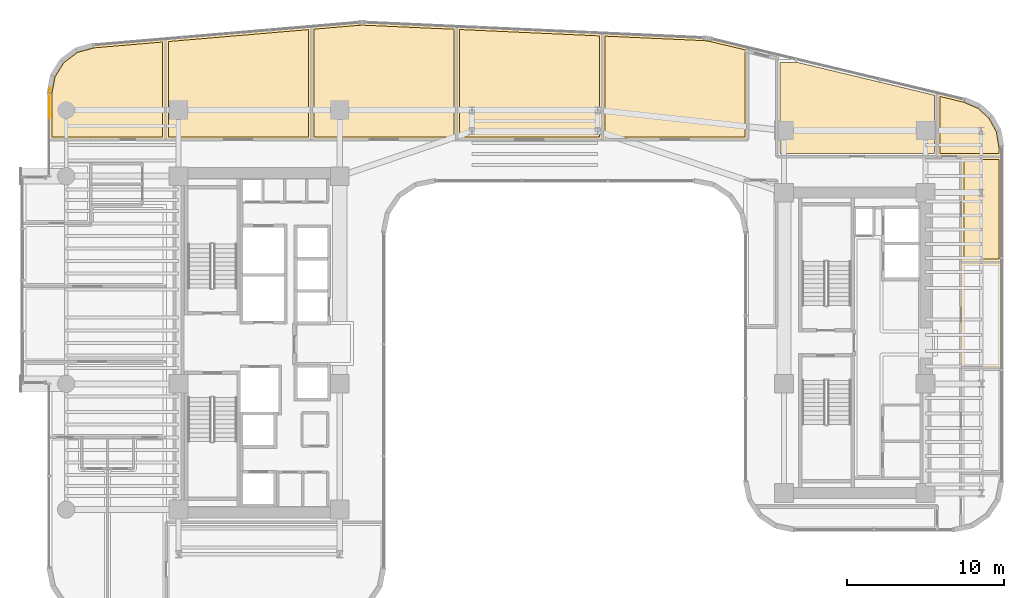
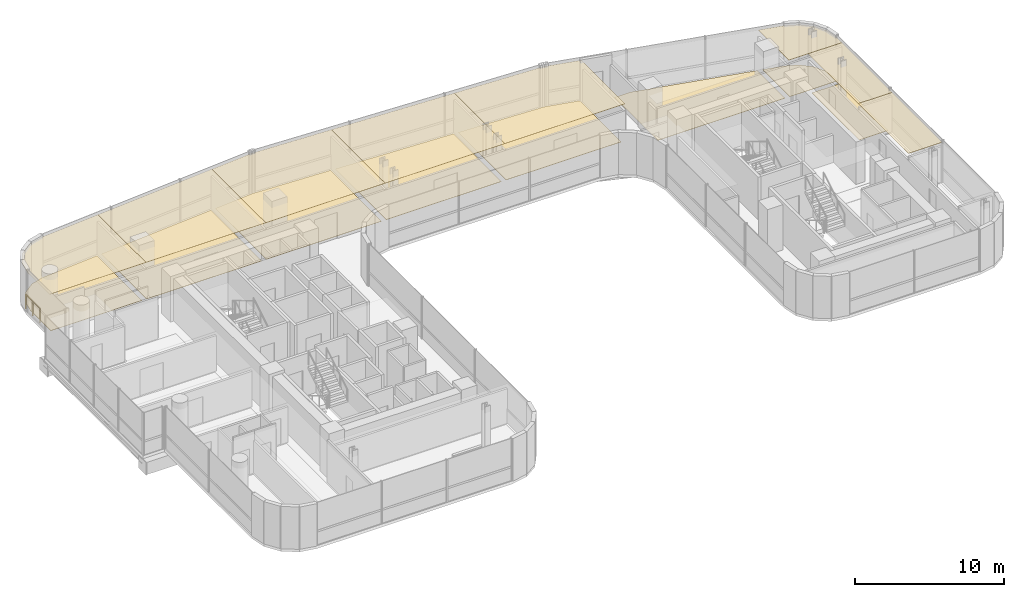
# One storey, part 34 of 35: 16 coverings, 1 railing.
"""IFC4 building model written with IfcOpenShell, lengths in metres."""

from ifc_helpers import new_model, si_unit, direction, frame, origin, origin_2d, place, context, subcontext, project, spatial, polyline, circle, outline, extrude, material, layer, layer_set, type_object, element, save


model = new_model("IFC4")

# Units and contexts
model_context = context("Model", 3, precision=1e-05, world=origin(), true_north=direction((0.0, 1.0)))
body_context = subcontext(model_context, "Body", "Model", "MODEL_VIEW")
ifc_project = project(units=[si_unit("LENGTHUNIT", "METRE"), si_unit("AREAUNIT", "SQUARE_METRE"), si_unit("VOLUMEUNIT", "CUBIC_METRE"), si_unit("PLANEANGLEUNIT", "RADIAN"), si_unit("MASSUNIT", "GRAM", prefix="KILO")], contexts=[model_context])

# Site, building, storey
site_placement = place(None, origin())
site = spatial("IfcSite", under=ifc_project, at=site_placement, CompositionType="ELEMENT")
building_placement = place(site_placement, origin())
building = spatial("IfcBuilding", under=site, at=building_placement, Name="Valdorenza Pilgrim Sanctuary Tower", CompositionType="ELEMENT")
storey_placement = place(building_placement, frame((0.0, 0.0, 139.0)))
storey = spatial("IfcBuildingStorey", under=building, at=storey_placement, Name="L35", CompositionType="ELEMENT", Elevation=139.0)

# Coverings
ifc_material_1 = material(Name="Micro-perforated acoustic mineral ceiling tile", Category="gypsum")
ifc_layer_1 = layer(ifc_material_1, 0.02490234375, Name="Micro-perforated acoustic mineral ceiling tile")
ifc_layer_set_1 = layer_set([ifc_layer_1], Name="Micro-perforated acoustic mineral ceiling tile")
covering_type_1 = type_object("IfcCoveringType", Name="COV-CLG-ACU", PredefinedType="CEILING", material=ifc_layer_set_1)
covering_1_placement = place(storey_placement, frame((0.0, 0.0, 3.159912109375)))
element("IfcCovering", 1, at=covering_1_placement, inside=storey, type_object=covering_type_1, Name="L35 Theological Seminar Classroom L35-N1 Acoustic Ceiling", PredefinedType="CEILING", context=body_context, shape_type="SweptSolid", body=[
    extrude(outline(polyline([(-30.889892578125, 12.905029296875), (-30.8916015625, 12.905029296875), (-30.892822265625, 12.9052734375), (-30.894287109375, 12.905517578125), (-30.895751953125, 12.906005859375), (-30.897216796875, 12.90673828125), (-30.898193359375, 12.907470703125), (-30.8994140625, 12.908447265625), (-30.900634765625, 12.909423828125), (-30.901611328125, 12.910400390625), (-30.902587890625, 12.91162109375), (-30.9033203125, 12.912841796875), (-30.90380859375, 12.914306640625), (-30.904296875, 12.91552734375), (-30.90478515625, 12.9169921875), (-30.90478515625, 12.91845703125), (-30.905029296875, 12.919921875), (-30.905029296875, 15.850341796875), (-30.90478515625, 15.8515625), (-30.90478515625, 15.85302734375), (-30.692138671875, 16.984130859375), (-30.69189453125, 16.985595703125), (-30.69140625, 16.98681640625), (-30.69091796875, 16.98828125), (-30.690185546875, 16.989501953125), (-30.0869140625, 17.95751953125), (-30.086181640625, 17.958740234375), (-30.085205078125, 17.959716796875), (-30.084228515625, 17.960693359375), (-30.083251953125, 17.961669921875), (-29.169677734375, 18.64453125), (-29.16845703125, 18.6455078125), (-29.167236328125, 18.64599609375), (-29.166015625, 18.646484375), (-29.164794921875, 18.647216796875), (-28.055419921875, 18.95458984375), (-28.05419921875, 18.955078125), (-28.052734375, 18.955078125), (-23.4833984375, 19.343505859375), (-23.481689453125, 19.343505859375), (-23.48046875, 19.343505859375), (-23.47900390625, 19.34326171875), (-23.4775390625, 19.343017578125), (-23.47607421875, 19.342529296875), (-23.474853515625, 19.341796875), (-23.4736328125, 19.341064453125), (-23.472412109375, 19.340087890625), (-23.47119140625, 19.339111328125), (-23.470458984375, 19.338134765625), (-23.469482421875, 19.3369140625), (-23.46875, 19.335693359375), (-23.468017578125, 19.334228515625), (-23.467529296875, 19.3330078125), (-23.46728515625, 19.33154296875), (-23.467041015625, 19.330078125), (-23.467041015625, 19.32861328125), (-23.467041015625, 12.919921875), (-23.467041015625, 12.91845703125), (-23.46728515625, 12.9169921875), (-23.467529296875, 12.91552734375), (-23.468017578125, 12.914306640625), (-23.46875, 12.912841796875), (-23.469482421875, 12.91162109375), (-23.470458984375, 12.910400390625), (-23.471435546875, 12.909423828125), (-23.472412109375, 12.908447265625), (-23.4736328125, 12.907470703125), (-23.474853515625, 12.90673828125), (-23.476318359375, 12.906005859375), (-23.4775390625, 12.905517578125), (-23.47900390625, 12.9052734375), (-23.48046875, 12.905029296875), (-23.48193359375, 12.905029296875), (-30.889892578125, 12.905029296875)])), origin(), (0.0, 0.0, 1.0), 0.025146484375),
])
covering_2_placement = place(storey_placement, frame((0.0, 0.0, 3.159912109375)))
element("IfcCovering", 2, at=covering_2_placement, inside=storey, type_object=covering_type_1, Name="L35 Theological Seminar Classroom L35-N2 Acoustic Ceiling", PredefinedType="CEILING", context=body_context, shape_type="SweptSolid", body=[
    extrude(outline(polyline([(-23.4951171875, 19.32861328125), (-23.4951171875, 19.32958984375), (-23.494873046875, 19.3310546875), (-23.49462890625, 19.33251953125), (-23.494140625, 19.333740234375), (-23.49365234375, 19.335205078125), (-23.492919921875, 19.33642578125), (-23.4921875, 19.337646484375), (-23.4912109375, 19.338623046875), (-23.490234375, 19.339599609375), (-23.4892578125, 19.3408203125), (-23.488037109375, 19.341552734375), (-23.48681640625, 19.34228515625), (-23.485595703125, 19.3427734375), (-23.484130859375, 19.34326171875), (-23.482666015625, 19.343505859375), (-23.481201171875, 19.34375), (-14.225341796875, 20.130615234375), (-14.223876953125, 20.130615234375), (-14.222412109375, 20.130615234375), (-14.220947265625, 20.130126953125), (-14.219482421875, 20.1298828125), (-14.218017578125, 20.12939453125), (-14.216796875, 20.128662109375), (-14.215576171875, 20.1279296875), (-14.21435546875, 20.127197265625), (-14.21337890625, 20.126220703125), (-14.21240234375, 20.125), (-14.21142578125, 20.123779296875), (-14.210693359375, 20.12255859375), (-14.210205078125, 20.12109375), (-14.209716796875, 20.119873046875), (-14.209228515625, 20.118408203125), (-14.208984375, 20.116943359375), (-14.208984375, 20.115478515625), (-14.208984375, 12.919921875), (-14.208984375, 12.91845703125), (-14.209228515625, 12.9169921875), (-14.209716796875, 12.91552734375), (-14.210205078125, 12.914306640625), (-14.210693359375, 12.912841796875), (-14.21142578125, 12.91162109375), (-14.21240234375, 12.910400390625), (-14.21337890625, 12.909423828125), (-14.214599609375, 12.908447265625), (-14.2158203125, 12.907470703125), (-14.216796875, 12.90673828125), (-14.21826171875, 12.906005859375), (-14.219482421875, 12.905517578125), (-14.22119140625, 12.9052734375), (-14.222412109375, 12.905029296875), (-14.22412109375, 12.905029296875), (-23.47998046875, 12.905029296875), (-23.4814453125, 12.905029296875), (-23.48291015625, 12.9052734375), (-23.484375, 12.905517578125), (-23.485595703125, 12.906005859375), (-23.487060546875, 12.90673828125), (-23.48828125, 12.907470703125), (-23.489501953125, 12.908447265625), (-23.490478515625, 12.909423828125), (-23.49169921875, 12.910400390625), (-23.492431640625, 12.91162109375), (-23.4931640625, 12.912841796875), (-23.493896484375, 12.914306640625), (-23.494384765625, 12.91552734375), (-23.49462890625, 12.9169921875), (-23.494873046875, 12.91845703125), (-23.4951171875, 12.919921875), (-23.4951171875, 19.32861328125), (-23.4951171875, 19.32861328125)])), origin(), (0.0, 0.0, 1.0), 0.025146484375),
])
covering_3_placement = place(storey_placement, frame((0.0, 0.0, 3.159912109375)))
element("IfcCovering", 3, at=covering_3_placement, inside=storey, type_object=covering_type_1, Name="L35 Theological Seminar Classroom L35-N3 Acoustic Ceiling", PredefinedType="CEILING", context=body_context, shape_type="SweptSolid", body=[
    extrude(outline(polyline([(-14.237060546875, 20.115478515625), (-14.237060546875, 20.116455078125), (-14.23681640625, 20.117919921875), (-14.236572265625, 20.119384765625), (-14.236083984375, 20.12060546875), (-14.235595703125, 20.1220703125), (-14.235107421875, 20.123291015625), (-14.234130859375, 20.12451171875), (-14.2333984375, 20.12548828125), (-14.232421875, 20.126708984375), (-14.231201171875, 20.127685546875), (-14.22998046875, 20.12841796875), (-14.228759765625, 20.129150390625), (-14.2275390625, 20.129638671875), (-14.22607421875, 20.130126953125), (-14.224609375, 20.130615234375), (-14.223388671875, 20.130615234375), (-11.20068359375, 20.3876953125), (-11.200439453125, 20.3876953125), (-11.099365234375, 20.39453125), (-11.098876953125, 20.39453125), (-10.998291015625, 20.398193359375), (-10.997802734375, 20.398193359375), (-10.897216796875, 20.398681640625), (-10.896728515625, 20.398681640625), (-10.79541015625, 20.3955078125), (-10.795166015625, 20.3955078125), (-4.96533203125, 20.130615234375), (-4.9638671875, 20.13037109375), (-4.96240234375, 20.130126953125), (-4.961181640625, 20.1298828125), (-4.959716796875, 20.129150390625), (-4.95849609375, 20.128662109375), (-4.957275390625, 20.127685546875), (-4.956298828125, 20.126953125), (-4.955078125, 20.1259765625), (-4.9541015625, 20.125), (-4.953369140625, 20.123779296875), (-4.95263671875, 20.12255859375), (-4.9521484375, 20.12109375), (-4.95166015625, 20.119873046875), (-4.951416015625, 20.118408203125), (-4.951171875, 20.116943359375), (-4.950927734375, 20.115478515625), (-4.950927734375, 12.919921875), (-4.951171875, 12.91845703125), (-4.951416015625, 12.9169921875), (-4.95166015625, 12.91552734375), (-4.9521484375, 12.914306640625), (-4.952880859375, 12.912841796875), (-4.95361328125, 12.91162109375), (-4.954345703125, 12.910400390625), (-4.955322265625, 12.909423828125), (-4.95654296875, 12.908447265625), (-4.957763671875, 12.907470703125), (-4.958984375, 12.90673828125), (-4.960205078125, 12.906005859375), (-4.961669921875, 12.905517578125), (-4.963134765625, 12.9052734375), (-4.964599609375, 12.905029296875), (-4.966064453125, 12.905029296875), (-14.221923828125, 12.905029296875), (-14.223388671875, 12.905029296875), (-14.224853515625, 12.9052734375), (-14.226318359375, 12.905517578125), (-14.227783203125, 12.906005859375), (-14.22900390625, 12.90673828125), (-14.230224609375, 12.907470703125), (-14.2314453125, 12.908447265625), (-14.232666015625, 12.909423828125), (-14.233642578125, 12.910400390625), (-14.234619140625, 12.91162109375), (-14.235107421875, 12.912841796875), (-14.23583984375, 12.914306640625), (-14.236328125, 12.91552734375), (-14.23681640625, 12.9169921875), (-14.23681640625, 12.91845703125), (-14.237060546875, 12.919921875), (-14.237060546875, 20.115478515625), (-14.237060546875, 20.115478515625)])), origin(), (0.0, 0.0, 1.0), 0.025146484375),
])
covering_4_placement = place(storey_placement, frame((0.0, 0.0, 3.159912109375)))
element("IfcCovering", 4, at=covering_4_placement, inside=storey, type_object=covering_type_1, Name="L35 Theological Seminar Classroom L35-N4 Acoustic Ceiling", PredefinedType="CEILING", context=body_context, shape_type="SweptSolid", body=[
    extrude(outline(polyline([(-4.964111328125, 12.905029296875), (-4.965576171875, 12.905029296875), (-4.966796875, 12.9052734375), (-4.968505859375, 12.905517578125), (-4.9697265625, 12.906005859375), (-4.97119140625, 12.90673828125), (-4.972412109375, 12.907470703125), (-4.973388671875, 12.908447265625), (-4.974609375, 12.909423828125), (-4.9755859375, 12.910400390625), (-4.9765625, 12.91162109375), (-4.977294921875, 12.912841796875), (-4.977783203125, 12.914306640625), (-4.978515625, 12.91552734375), (-4.978759765625, 12.9169921875), (-4.97900390625, 12.91845703125), (-4.97900390625, 12.919921875), (-4.97900390625, 20.115478515625), (-4.97900390625, 20.116943359375), (-4.978759765625, 20.118408203125), (-4.978271484375, 20.1201171875), (-4.977783203125, 20.121337890625), (-4.97705078125, 20.122802734375), (-4.976318359375, 20.1240234375), (-4.975341796875, 20.125244140625), (-4.974365234375, 20.126220703125), (-4.97314453125, 20.127197265625), (-4.971923828125, 20.128173828125), (-4.970703125, 20.12890625), (-4.96923828125, 20.12939453125), (-4.9677734375, 20.1298828125), (-4.96630859375, 20.13037109375), (-4.96484375, 20.130615234375), (-4.96337890625, 20.130615234375), (4.292724609375, 19.709716796875), (4.294189453125, 19.709716796875), (4.29541015625, 19.70947265625), (4.296875, 19.708984375), (4.298095703125, 19.70849609375), (4.299560546875, 19.707763671875), (4.30078125, 19.70703125), (4.3017578125, 19.7060546875), (4.302734375, 19.705078125), (4.3037109375, 19.7041015625), (4.3046875, 19.702880859375), (4.305419921875, 19.70166015625), (4.305908203125, 19.700439453125), (4.306396484375, 19.698974609375), (4.306640625, 19.697509765625), (4.306884765625, 19.6962890625), (4.306884765625, 19.69482421875), (4.306884765625, 12.919921875), (4.306884765625, 12.91845703125), (4.306640625, 12.9169921875), (4.306396484375, 12.91552734375), (4.305908203125, 12.914306640625), (4.30517578125, 12.912841796875), (4.304443359375, 12.91162109375), (4.3037109375, 12.910400390625), (4.302490234375, 12.909423828125), (4.301513671875, 12.908447265625), (4.30029296875, 12.907470703125), (4.299072265625, 12.90673828125), (4.297607421875, 12.906005859375), (4.29638671875, 12.905517578125), (4.294921875, 12.9052734375), (4.29345703125, 12.905029296875), (4.2919921875, 12.905029296875), (-4.964111328125, 12.905029296875)])), origin(), (0.0, 0.0, 1.0), 0.025146484375),
])
covering_5_placement = place(storey_placement, frame((0.0, 0.0, 3.159912109375)))
element("IfcCovering", 5, at=covering_5_placement, inside=storey, type_object=covering_type_1, Name="L35 Theological Seminar Classroom L35-N5 Acoustic Ceiling", PredefinedType="CEILING", context=body_context, shape_type="SweptSolid", body=[
    extrude(outline(polyline([(4.2939453125, 12.905029296875), (4.29248046875, 12.905029296875), (4.291015625, 12.9052734375), (4.28955078125, 12.905517578125), (4.288330078125, 12.906005859375), (4.286865234375, 12.90673828125), (4.28564453125, 12.907470703125), (4.284423828125, 12.908447265625), (4.283447265625, 12.909423828125), (4.282470703125, 12.910400390625), (4.281494140625, 12.91162109375), (4.28076171875, 12.912841796875), (4.280029296875, 12.914306640625), (4.279541015625, 12.91552734375), (4.279296875, 12.9169921875), (4.279052734375, 12.91845703125), (4.279052734375, 12.919921875), (4.279052734375, 19.694580078125), (4.279052734375, 19.6962890625), (4.279296875, 19.69775390625), (4.27978515625, 19.69921875), (4.2802734375, 19.70068359375), (4.281005859375, 19.701904296875), (4.28173828125, 19.703125), (4.28271484375, 19.704345703125), (4.28369140625, 19.70556640625), (4.284912109375, 19.70654296875), (4.285888671875, 19.70751953125), (4.287353515625, 19.7080078125), (4.288818359375, 19.708740234375), (4.290283203125, 19.709228515625), (4.291748046875, 19.70947265625), (4.293212890625, 19.709716796875), (4.294677734375, 19.709716796875), (10.690673828125, 19.4189453125), (10.69091796875, 19.4189453125), (10.838134765625, 19.40869140625), (10.8388671875, 19.40869140625), (10.984375, 19.3916015625), (10.985107421875, 19.3916015625), (11.12939453125, 19.36767578125), (11.130126953125, 19.36767578125), (11.274658203125, 19.336669921875), (11.27490234375, 19.33642578125), (13.553466796875, 18.791015625), (13.554931640625, 18.790771484375), (13.55615234375, 18.790283203125), (13.5576171875, 18.78955078125), (13.55859375, 18.788818359375), (13.559814453125, 18.787841796875), (13.560791015625, 18.786865234375), (13.561767578125, 18.785888671875), (13.5625, 18.78466796875), (13.563232421875, 18.783447265625), (13.56396484375, 18.781982421875), (13.564453125, 18.78076171875), (13.564697265625, 18.779296875), (13.56494140625, 18.778076171875), (13.56494140625, 18.776611328125), (13.56494140625, 12.919921875), (13.56494140625, 12.91845703125), (13.564697265625, 12.9169921875), (13.564453125, 12.91552734375), (13.56396484375, 12.914306640625), (13.563232421875, 12.912841796875), (13.5625, 12.91162109375), (13.5615234375, 12.910400390625), (13.560546875, 12.909423828125), (13.5595703125, 12.908447265625), (13.558349609375, 12.907470703125), (13.55712890625, 12.90673828125), (13.5556640625, 12.906005859375), (13.554443359375, 12.905517578125), (13.552978515625, 12.9052734375), (13.551513671875, 12.905029296875), (13.550048828125, 12.905029296875), (4.2939453125, 12.905029296875)])), origin(), (0.0, 0.0, 1.0), 0.025146484375),
])
covering_6_placement = place(storey_placement, frame((0.0, 0.0, 3.159912109375)))
element("IfcCovering", 6, at=covering_6_placement, inside=storey, type_object=covering_type_1, Name="L35 East Wing Reference Library L35-BNE Acoustic Ceiling", PredefinedType="CEILING", context=body_context, shape_type="SweptSolid", body=[
    extrude(outline(polyline([(27.313720703125, 15.49755859375), (27.31494140625, 15.4970703125), (27.316162109375, 15.49658203125), (28.269775390625, 15.09130859375), (28.271240234375, 15.090576171875), (28.272705078125, 15.089599609375), (28.27392578125, 15.088623046875), (29.034912109375, 14.3994140625), (29.035888671875, 14.398193359375), (29.037109375, 14.39697265625), (29.037841796875, 14.3955078125), (29.531005859375, 13.4951171875), (29.53173828125, 13.49365234375), (29.5322265625, 13.4921875), (29.53271484375, 13.490478515625), (29.704833984375, 12.468994140625), (29.704833984375, 12.467529296875), (29.705078125, 12.46630859375), (29.705078125, 11.85009765625), (29.704833984375, 11.848388671875), (29.70458984375, 11.84716796875), (29.704345703125, 11.845703125), (29.703857421875, 11.84423828125), (29.703125, 11.843017578125), (29.702392578125, 11.841796875), (29.70166015625, 11.840576171875), (29.70068359375, 11.83935546875), (29.699462890625, 11.83837890625), (29.6982421875, 11.83740234375), (29.697021484375, 11.8369140625), (29.69580078125, 11.836181640625), (29.6943359375, 11.835693359375), (29.69287109375, 11.835205078125), (29.69140625, 11.835205078125), (29.68994140625, 11.8349609375), (25.60205078125, 11.8349609375), (25.6005859375, 11.835205078125), (25.59912109375, 11.835205078125), (25.59765625, 11.835693359375), (25.59619140625, 11.836181640625), (25.594970703125, 11.8369140625), (25.59375, 11.83740234375), (25.592529296875, 11.83837890625), (25.59130859375, 11.83935546875), (25.59033203125, 11.840576171875), (25.589599609375, 11.841796875), (25.5888671875, 11.843017578125), (25.588134765625, 11.84423828125), (25.587646484375, 11.845703125), (25.58740234375, 11.84716796875), (25.587158203125, 11.848388671875), (25.5869140625, 11.85009765625), (25.5869140625, 15.891845703125), (25.587158203125, 15.893310546875), (25.58740234375, 15.894775390625), (25.587646484375, 15.896240234375), (25.588134765625, 15.897705078125), (25.5888671875, 15.89892578125), (25.589599609375, 15.900390625), (25.590576171875, 15.901611328125), (25.591552734375, 15.902587890625), (25.5927734375, 15.903564453125), (25.593994140625, 15.904296875), (25.59521484375, 15.9052734375), (25.5966796875, 15.90576171875), (25.597900390625, 15.90625), (25.599609375, 15.906494140625), (25.60107421875, 15.90673828125), (25.6025390625, 15.90673828125), (25.60400390625, 15.906494140625), (25.60546875, 15.906494140625), (27.313720703125, 15.49755859375)])), origin(), (0.0, 0.0, 1.0), 0.025146484375),
])
covering_7_placement = place(storey_placement, frame((0.0, 0.0, 3.159912109375)))
element("IfcCovering", 7, at=covering_7_placement, inside=storey, type_object=covering_type_1, Name="L35 East Sanctuary Scholar Office L35-EG3 Acoustic Ceiling", PredefinedType="CEILING", context=body_context, shape_type="SweptSolid", body=[
    extrude(outline(polyline([(27.0849609375, 5.137939453125), (27.085205078125, 5.139404296875), (27.085205078125, 5.140869140625), (27.085693359375, 5.142333984375), (27.086181640625, 5.143798828125), (27.0869140625, 5.14501953125), (27.08740234375, 5.146240234375), (27.08837890625, 5.1474609375), (27.08935546875, 5.148681640625), (27.090576171875, 5.149658203125), (27.091796875, 5.150390625), (27.093017578125, 5.151123046875), (27.09423828125, 5.15185546875), (27.095703125, 5.15234375), (27.09716796875, 5.152587890625), (27.098388671875, 5.15283203125), (27.10009765625, 5.153076171875), (29.68994140625, 5.153076171875), (29.69140625, 5.15283203125), (29.69287109375, 5.152587890625), (29.6943359375, 5.15234375), (29.69580078125, 5.15185546875), (29.697021484375, 5.151123046875), (29.6982421875, 5.150390625), (29.699462890625, 5.149658203125), (29.70068359375, 5.148681640625), (29.70166015625, 5.1474609375), (29.702392578125, 5.146240234375), (29.703125, 5.14501953125), (29.703857421875, 5.143798828125), (29.704345703125, 5.142333984375), (29.70458984375, 5.140869140625), (29.704833984375, 5.139404296875), (29.705078125, 5.137939453125), (29.705078125, -1.572998046875), (29.704833984375, -1.574462890625), (29.70458984375, -1.575927734375), (29.704345703125, -1.577392578125), (29.703857421875, -1.57861328125), (29.703125, -1.580078125), (29.702392578125, -1.581298828125), (29.70166015625, -1.58251953125), (29.70068359375, -1.58349609375), (29.699462890625, -1.584716796875), (29.6982421875, -1.58544921875), (29.697021484375, -1.586181640625), (29.69580078125, -1.5869140625), (29.6943359375, -1.58740234375), (29.69287109375, -1.587646484375), (29.69140625, -1.587890625), (29.68994140625, -1.587890625), (27.10009765625, -1.587890625), (27.098388671875, -1.587890625), (27.09716796875, -1.587646484375), (27.095703125, -1.58740234375), (27.09423828125, -1.5869140625), (27.093017578125, -1.586181640625), (27.091796875, -1.58544921875), (27.090576171875, -1.584716796875), (27.08935546875, -1.58349609375), (27.08837890625, -1.58251953125), (27.08740234375, -1.581298828125), (27.0869140625, -1.580078125), (27.086181640625, -1.57861328125), (27.085693359375, -1.577392578125), (27.085205078125, -1.575927734375), (27.085205078125, -1.574462890625), (27.0849609375, -1.572998046875), (27.0849609375, 5.137939453125)])), origin(), (0.0, 0.0, 1.0), 0.025146484375),
])
covering_8_placement = place(storey_placement, frame((0.0, 0.0, 3.159912109375)))
element("IfcCovering", 8, at=covering_8_placement, inside=storey, type_object=covering_type_1, Name="L35 East Sanctuary Scholar Office L35-EG4 Acoustic Ceiling", PredefinedType="CEILING", context=body_context, shape_type="SweptSolid", body=[
    extrude(outline(polyline([(27.0849609375, 11.847900390625), (27.085205078125, 11.849609375), (27.085205078125, 11.850830078125), (27.085693359375, 11.852294921875), (27.086181640625, 11.853759765625), (27.0869140625, 11.85498046875), (27.08740234375, 11.856201171875), (27.08837890625, 11.857421875), (27.08935546875, 11.858642578125), (27.090576171875, 11.859619140625), (27.091796875, 11.860595703125), (27.093017578125, 11.861083984375), (27.09423828125, 11.86181640625), (27.095703125, 11.8623046875), (27.09716796875, 11.86279296875), (27.098388671875, 11.86279296875), (27.10009765625, 11.863037109375), (29.68994140625, 11.863037109375), (29.69140625, 11.86279296875), (29.69287109375, 11.86279296875), (29.6943359375, 11.8623046875), (29.69580078125, 11.86181640625), (29.697021484375, 11.861083984375), (29.6982421875, 11.860595703125), (29.699462890625, 11.859619140625), (29.70068359375, 11.858642578125), (29.70166015625, 11.857421875), (29.702392578125, 11.856201171875), (29.703125, 11.85498046875), (29.703857421875, 11.853759765625), (29.704345703125, 11.852294921875), (29.70458984375, 11.850830078125), (29.704833984375, 11.849609375), (29.705078125, 11.847900390625), (29.705078125, 5.139892578125), (29.704833984375, 5.138427734375), (29.70458984375, 5.13720703125), (29.704345703125, 5.135498046875), (29.703857421875, 5.13427734375), (29.703125, 5.1328125), (29.702392578125, 5.131591796875), (29.70166015625, 5.130615234375), (29.70068359375, 5.12939453125), (29.699462890625, 5.12841796875), (29.6982421875, 5.12744140625), (29.697021484375, 5.126708984375), (29.69580078125, 5.126220703125), (29.6943359375, 5.12548828125), (29.69287109375, 5.125244140625), (29.69140625, 5.125), (29.68994140625, 5.125), (27.10009765625, 5.125), (27.098388671875, 5.125), (27.09716796875, 5.125244140625), (27.095703125, 5.12548828125), (27.09423828125, 5.126220703125), (27.093017578125, 5.126708984375), (27.091796875, 5.12744140625), (27.090576171875, 5.12841796875), (27.08935546875, 5.12939453125), (27.08837890625, 5.130615234375), (27.08740234375, 5.131591796875), (27.0869140625, 5.1328125), (27.086181640625, 5.13427734375), (27.085693359375, 5.135498046875), (27.085205078125, 5.13720703125), (27.085205078125, 5.138427734375), (27.0849609375, 5.139892578125), (27.0849609375, 11.847900390625)])), origin(), (0.0, 0.0, 1.0), 0.025146484375),
])
ifc_material_2 = material(Name="Engineered European oak timber flooring", Category="wood")
ifc_layer_2 = layer(ifc_material_2, 0.02197265625, Name="Engineered European oak timber flooring")
ifc_layer_set_2 = layer_set([ifc_layer_2], Name="Engineered European oak timber flooring")
covering_type_2 = type_object("IfcCoveringType", Name="COV-FLR-OAK", PredefinedType="FLOORING", material=ifc_layer_set_2)
covering_9_placement = place(storey_placement, origin())
element("IfcCovering", 9, at=covering_9_placement, inside=storey, type_object=covering_type_2, Name="L35 Theological Seminar Classroom L35-N1 Flooring", PredefinedType="FLOORING", context=body_context, shape_type="SweptSolid", body=[
    extrude(outline(polyline([(-30.7099609375, 13.10009765625), (-30.7099609375, 15.83349609375), (-30.5068359375, 16.9150390625), (-29.939208984375, 17.82568359375), (-29.080078125, 18.46826171875), (-28.01953125, 18.76220703125), (-23.662109375, 19.1328125), (-23.662109375, 13.10009765625), (-30.7099609375, 13.10009765625)])), origin(), (0.0, 0.0, 1.0), 0.02490234375),
])
covering_10_placement = place(storey_placement, origin())
element("IfcCovering", 10, at=covering_10_placement, inside=storey, type_object=covering_type_2, Name="L35 Theological Seminar Classroom L35-N2 Flooring", PredefinedType="FLOORING", context=body_context, shape_type="SweptSolid", body=[
    extrude(outline(polyline([(-23.300048828125, 13.10009765625), (-23.300048828125, 19.163330078125), (-14.404052734375, 19.919677734375), (-14.404052734375, 13.10009765625), (-23.300048828125, 13.10009765625)])), origin(), (0.0, 0.0, 1.0), 0.02490234375),
])
covering_11_placement = place(storey_placement, origin())
element("IfcCovering", 11, at=covering_11_placement, inside=storey, type_object=covering_type_2, Name="L35 Theological Seminar Classroom L35-N3 Flooring", PredefinedType="FLOORING", context=body_context, shape_type="SweptSolid", body=[
    extrude(outline(polyline([(-14.0419921875, 13.10009765625), (-14.0419921875, 19.9501953125), (-11.185546875, 20.193115234375), (-11.0888671875, 20.199951171875), (-10.994140625, 20.203125), (-10.8994140625, 20.20361328125), (-10.802490234375, 20.20068359375), (-5.14599609375, 19.943603515625), (-5.14599609375, 13.10009765625), (-14.0419921875, 13.10009765625)])), origin(), (0.0, 0.0, 1.0), 0.02490234375),
])
covering_12_placement = place(storey_placement, origin())
element("IfcCovering", 12, at=covering_12_placement, inside=storey, type_object=covering_type_2, Name="L35 Theological Seminar Classroom L35-N4 Flooring", PredefinedType="FLOORING", context=body_context, shape_type="SweptSolid", body=[
    extrude(outline(polyline([(-4.783935546875, 13.10009765625), (-4.783935546875, 19.927001953125), (4.112060546875, 19.522705078125), (4.112060546875, 13.10009765625), (-4.783935546875, 13.10009765625)])), origin(), (0.0, 0.0, 1.0), 0.02490234375),
])
covering_13_placement = place(storey_placement, origin())
element("IfcCovering", 13, at=covering_13_placement, inside=storey, type_object=covering_type_2, Name="L35 Theological Seminar Classroom L35-N5 Flooring", PredefinedType="FLOORING", context=body_context, shape_type="SweptSolid", body=[
    extrude(outline(polyline([(4.47412109375, 13.10009765625), (4.47412109375, 19.50634765625), (10.6796875, 19.224365234375), (10.820556640625, 19.214599609375), (10.95751953125, 19.198486328125), (11.093505859375, 19.176025390625), (11.231689453125, 19.146484375), (13.3701171875, 18.634521484375), (13.3701171875, 13.10009765625), (4.47412109375, 13.10009765625)])), origin(), (0.0, 0.0, 1.0), 0.02490234375),
])
ifc_material_3 = material(Name="Honed travertine stone flooring", Category="masonry")
ifc_layer_3 = layer(ifc_material_3, 0.030029296875, Name="Honed travertine stone flooring")
ifc_layer_set_3 = layer_set([ifc_layer_3], Name="Honed travertine stone flooring")
covering_type_3 = type_object("IfcCoveringType", Name="COV-FLR-TRV", PredefinedType="FLOORING", material=ifc_layer_set_3)
covering_14_placement = place(storey_placement, origin())
element("IfcCovering", 14, at=covering_14_placement, inside=storey, type_object=covering_type_3, Name="L35 Curator Research Office L35-BN1 Flooring", PredefinedType="FLOORING", context=body_context, shape_type="SweptSolid", body=[
    extrude(outline(polyline([(15.580078125, 12.030029296875), (15.580078125, 17.820068359375), (16.77294921875, 17.820068359375), (25.419921875, 15.750244140625), (25.419921875, 12.030029296875), (15.580078125, 12.030029296875)])), origin(), (0.0, 0.0, 1.0), 0.02490234375),
])
covering_15_placement = place(storey_placement, origin())
element("IfcCovering", 15, at=covering_15_placement, inside=storey, type_object=covering_type_3, Name="L35 East Wing Reference Library L35-BNE Flooring", PredefinedType="FLOORING", context=body_context, shape_type="SweptSolid", body=[
    extrude(outline(polyline([(27.25390625, 15.311279296875), (28.16552734375, 14.923583984375), (28.88134765625, 14.275390625), (29.345458984375, 13.427978515625), (29.510009765625, 12.451416015625), (29.510009765625, 12.030029296875), (25.781982421875, 12.030029296875), (25.781982421875, 15.66357421875), (27.25390625, 15.311279296875)])), origin(), (0.0, 0.0, 1.0), 0.02490234375),
])
covering_16_placement = place(storey_placement, origin())
element("IfcCovering", 16, at=covering_16_placement, inside=storey, type_object=covering_type_3, Name="L35 East Sanctuary Scholar Office L35-EG4 Flooring", PredefinedType="FLOORING", context=body_context, shape_type="SweptSolid", body=[
    extrude(outline(polyline([(27.280029296875, 11.66796875), (29.510009765625, 11.66796875), (29.510009765625, 5.320068359375), (27.280029296875, 5.320068359375), (27.280029296875, 11.66796875)])), origin(), (0.0, 0.0, 1.0), 0.02490234375),
])

# Railing
ifc_material_4 = material(Name="Stainless steel Grade 316", Category="steel")
railing_type = type_object("IfcRailingType", Name="RLG-GRD-1120", PredefinedType="GUARDRAIL", material=ifc_material_4)
railing_placement = place(storey_placement, frame((-30.860107421875, 14.300048828125, 0.0)))
element("IfcRailing", 17, at=railing_placement, inside=storey, type_object=railing_type, Name="L35 NW Tangent Safety Sill Guard", PredefinedType="GUARDRAIL", context=body_context, shape_type="SweptSolid", body=[
    extrude(circle(Radius=0.02392578125, at=origin_2d()), frame((0.0, 0.0, 1.17578125), z_axis=(0.0, 1.0, 0.0), x_axis=(-1.0, 0.0, 0.0)), (0.0, 0.0, 1.0), 1.89990234375),
    extrude(circle(Radius=0.02099609375, at=origin_2d()), origin(), (0.0, 0.0, 1.0), 1.15185546875),
    extrude(circle(Radius=0.02099609375, at=origin_2d()), frame((0.0, 0.949951171875, 0.0)), (0.0, 0.0, 1.0), 1.15185546875),
    extrude(circle(Radius=0.02099609375, at=origin_2d()), frame((0.0, 1.89990234375, 0.0)), (0.0, 0.0, 1.0), 1.15185546875),
])

save(model, "model.ifc")
